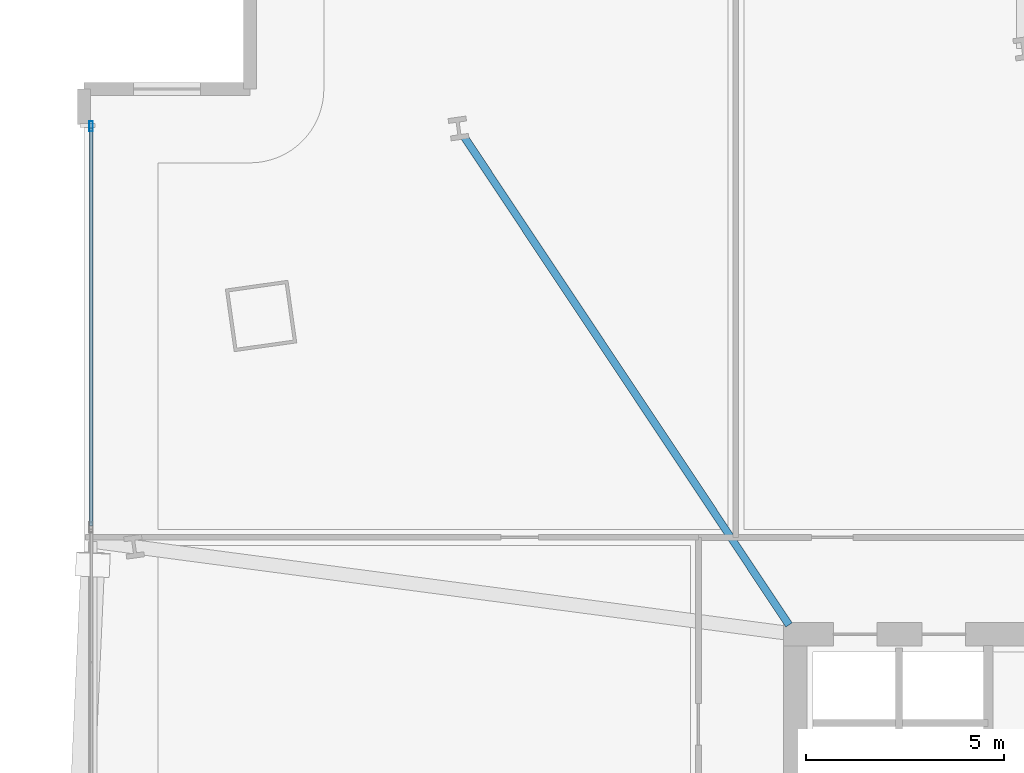
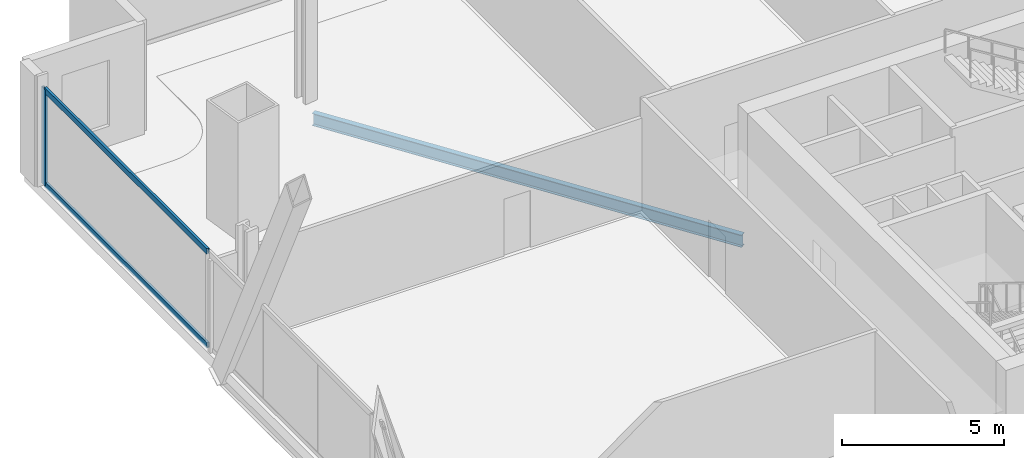
# One storey, part 13 of 29: 3 members, 1 beam, 1 element without a shape of its own.
"""IFC4 building model written with IfcOpenShell, lengths in metres."""

from ifc_helpers import new_model, si_unit, direction, frame, origin, origin_2d, place, context, subcontext, project, spatial, hollow_rectangle, i_section, extrude, material, material_profile, profile_set, type_object, element, aggregate, save


model = new_model("IFC4")

# Units and contexts
model_context = context("Model", 3, precision=1e-05, world=origin(), true_north=direction((0.0, 1.0)))
body_context = subcontext(model_context, "Body", "Model", "MODEL_VIEW")
ifc_project = project(units=[si_unit("LENGTHUNIT", "METRE"), si_unit("AREAUNIT", "SQUARE_METRE"), si_unit("VOLUMEUNIT", "CUBIC_METRE"), si_unit("PLANEANGLEUNIT", "RADIAN"), si_unit("MASSUNIT", "GRAM", prefix="KILO")], contexts=[model_context])

# Site, building, storey
site_placement = place(None, origin())
site = spatial("IfcSite", under=ifc_project, at=site_placement, CompositionType="ELEMENT")
building_placement = place(site_placement, origin())
building = spatial("IfcBuilding", under=site, at=building_placement, Name="Haldenkirk Collegiate Tower", CompositionType="ELEMENT")
storey_placement = place(building_placement, frame((0.0, 0.0, 28.199951171875)))
storey = spatial("IfcBuildingStorey", under=building, at=storey_placement, Name="L05", CompositionType="ELEMENT", Elevation=28.199951171875)

# Beam
ifc_material_1 = material(Name="Steel ASTM A992 Grade 50", Category="steel")
ifc_material_profile_1 = material_profile(ifc_material_1, i_section(OverallWidth=0.19189453125, OverallDepth=0.462890625, WebThickness=0.010498046875, FlangeThickness=0.017578125, at=origin_2d()), Name="W18X60")
ifc_profile_set_1 = profile_set([ifc_material_profile_1], Name="Steel ASTM A992 Grade 50")
beam_type = type_object("IfcBeamType", Name="BM-JOIST-W18X60", PredefinedType="JOIST", material=ifc_profile_set_1)
beam_placement = place(storey_placement, frame((18.625, 46.5810546875, -0.641357421875), z_axis=(0.554130343162, -0.83242991464, 0.0), x_axis=(0.83242991464, 0.554130343162, 0.0)))
element("IfcBeam", 1, at=beam_placement, inside=storey, type_object=beam_type, Name="L05 composite floor joist 13", PredefinedType="JOIST", context=body_context, shape_type="SweptSolid", body=[
    extrude(i_section(OverallWidth=0.19189453125, OverallDepth=0.462890625, WebThickness=0.010498046875, FlangeThickness=0.017578125, at=origin_2d()), origin(), (0.0, 0.0, 1.0), 14.83349609375),
])

# Curtain wall, members
ifc_material_2 = material(Name="Anodised architectural bronze aluminium", Category="aluminium")
curtain_wall_type = type_object("IfcCurtainWallType", Name="CW-SYS4-SKYGARDEN", PredefinedType="USERDEFINED", material=ifc_material_2)
curtain_wall_placement = place(storey_placement, origin())
curtain_wall = element("IfcCurtainWall", 2, at=curtain_wall_placement, inside=storey, type_object=curtain_wall_type, Name="L05 Sky-garden tall bronze curtain wall", ObjectType="UNITISED CURTAIN WALL", PredefinedType="USERDEFINED")
ifc_material_profile_2 = material_profile(ifc_material_2, hollow_rectangle(XDim=0.090087890625, YDim=0.260009765625, WallThickness=0.0048828125, at=origin_2d()), Name="CW-MUL-04")
ifc_profile_set_2 = profile_set([ifc_material_profile_2], Name="Anodised architectural bronze aluminium")
member_type_1 = type_object("IfcMemberType", Name="CW-MUL-04", PredefinedType="MULLION", material=ifc_profile_set_2)
member_1_placement = place(storey_placement, frame((9.179931640625, 46.85498046875, 0.0), z_axis=(0.0, 0.0, 1.0), x_axis=(-1.0, 0.0, 0.0)))
member_1 = element("IfcMember", 3, at=member_1_placement, type_object=member_type_1, Name="CW-04 mullion 5", PredefinedType="MULLION", context=body_context, shape_type="SweptSolid", body=[
    extrude(hollow_rectangle(XDim=0.090087890625, YDim=0.260009765625, WallThickness=0.0048828125, at=origin_2d()), origin(), (0.0, 0.0, 1.0), 3.64111328125),
])
ifc_material_profile_3 = material_profile(ifc_material_2, hollow_rectangle(XDim=0.090087890625, YDim=0.2099609375, WallThickness=0.0048828125, at=origin_2d()), Name="CW-TRN-04")
ifc_profile_set_3 = profile_set([ifc_material_profile_3], Name="Anodised architectural bronze aluminium")
member_type_2 = type_object("IfcMemberType", Name="CW-TRN-04", PredefinedType="USERDEFINED", material=ifc_profile_set_3)
member_2_placement = place(storey_placement, frame((9.179931640625, 36.7451171875, 0.045166015625), z_axis=(0.0, 1.0, 0.0), x_axis=(-1.0, 0.0, 0.0)))
member_2 = element("IfcMember", 4, at=member_2_placement, type_object=member_type_2, Name="CW-04 transom 4.1", ObjectType="TRANSOM", PredefinedType="USERDEFINED", context=body_context, shape_type="SweptSolid", body=[
    extrude(hollow_rectangle(XDim=0.090087890625, YDim=0.2099609375, WallThickness=0.0048828125, at=origin_2d()), origin(), (0.0, 0.0, 1.0), 10.06494140625),
])
member_3_placement = place(storey_placement, frame((9.179931640625, 36.7451171875, 3.595947265625), z_axis=(0.0, 1.0, 0.0), x_axis=(-1.0, 0.0, 0.0)))
member_3 = element("IfcMember", 5, at=member_3_placement, type_object=member_type_2, Name="CW-04 transom 4.2", ObjectType="TRANSOM", PredefinedType="USERDEFINED", context=body_context, shape_type="SweptSolid", body=[
    extrude(hollow_rectangle(XDim=0.090087890625, YDim=0.2099609375, WallThickness=0.0048828125, at=origin_2d()), origin(), (0.0, 0.0, 1.0), 10.06494140625),
])
aggregate(curtain_wall, [member_1, member_2, member_3])

save(model, "model.ifc")
